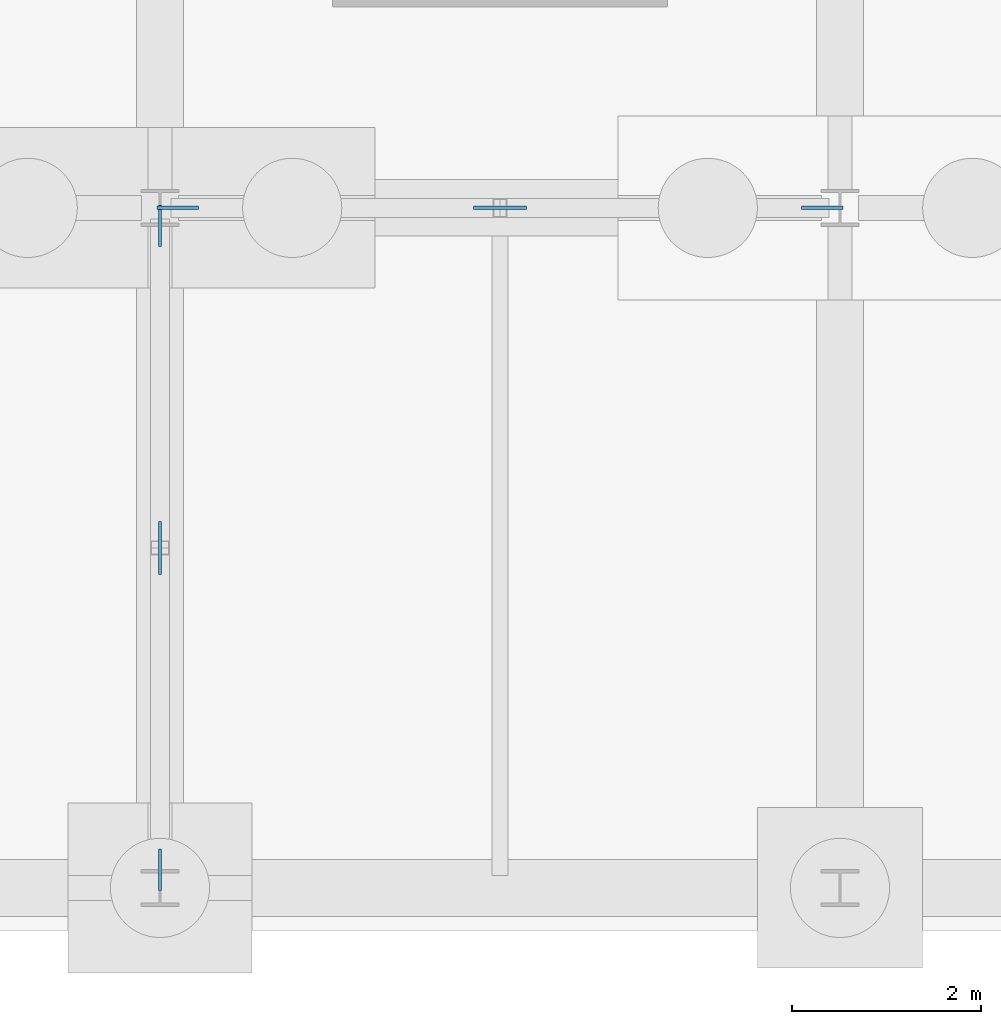
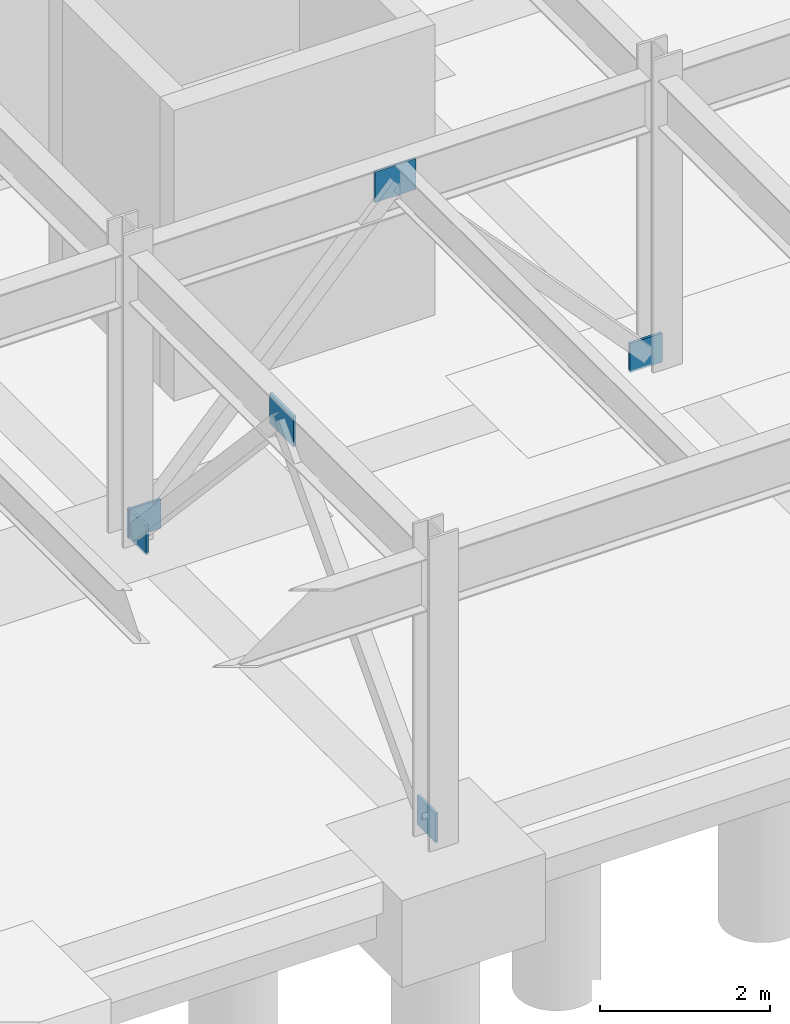
# One storey, part 40 of 54: 6 plates.
"""IFC4 building model written with IfcOpenShell, lengths in metres."""

from ifc_helpers import new_model, si_unit, direction, frame, origin, origin_2d, place, context, subcontext, project, spatial, rectangle, extrude, material, layer, layer_set, type_object, element, save


model = new_model("IFC4")

# Units and contexts
model_context = context("Model", 3, precision=1e-05, world=origin(), true_north=direction((0.0, 1.0)))
body_context = subcontext(model_context, "Body", "Model", "MODEL_VIEW")
ifc_project = project(units=[si_unit("LENGTHUNIT", "METRE"), si_unit("AREAUNIT", "SQUARE_METRE"), si_unit("VOLUMEUNIT", "CUBIC_METRE"), si_unit("PLANEANGLEUNIT", "RADIAN"), si_unit("MASSUNIT", "GRAM", prefix="KILO")], contexts=[model_context])

# Site, building, storey
site_placement = place(None, origin())
site = spatial("IfcSite", under=ifc_project, at=site_placement, CompositionType="ELEMENT")
building_placement = place(site_placement, origin())
building = spatial("IfcBuilding", under=site, at=building_placement, Name="Vaelcorin Mobility Hub", CompositionType="ELEMENT")
storey_placement = place(building_placement, frame((0.0, 0.0, -4.5)))
storey = spatial("IfcBuildingStorey", under=building, at=storey_placement, Name="B1", CompositionType="ELEMENT", Elevation=-4.5)

# Plates
ifc_material = material(Name="Steel ASTM A572 Grade 50", Category="steel")
ifc_layer = layer(ifc_material, 0.034912109375)
ifc_layer_set = layer_set([ifc_layer], Name="Steel ASTM A572 Grade 50")
plate_type = type_object("IfcPlateType", Name="PL-GN1", PredefinedType="USERDEFINED", material=ifc_layer_set)
for number, where, z_axis, x_axis, name in (
    (1, (160.989990234375, 13.199951171875, -0.030029296875), (0.0, 0.0, 1.0), (1.0, 0.0, 0.0), "SCBF Gusset Plate GN1 V5-BX1-B1-A"),
    (2, (167.81005859375, 13.199951171875, -0.030029296875), (0.0, 0.0, 1.0), (1.0, 0.0, 0.0), "SCBF Gusset Plate GN1 V5-BX1-B1-B"),
):
    element("IfcPlate", number, at=place(storey_placement, frame(where, z_axis=z_axis, x_axis=x_axis)), inside=storey, type_object=plate_type, Name=name, ObjectType="GUSSET PLATE", PredefinedType="USERDEFINED", context=body_context, shape_type="SweptSolid", body=[
        extrude(rectangle(XDim=0.43994140625, YDim=0.034912109375, at=origin_2d()), origin(), (0.0, 0.0, 1.0), 0.419921875),
    ])
plate_1_placement = place(storey_placement, frame((164.39990234375, 13.199951171875, 3.630126953125), z_axis=(0.0, 0.0, 1.0), x_axis=(1.0, 0.0, 0.0)))
element("IfcPlate", 3, at=plate_1_placement, inside=storey, type_object=plate_type, Name="SCBF Apex Gusset GN1 V5-BX1-B1", ObjectType="GUSSET PLATE", PredefinedType="USERDEFINED", context=body_context, shape_type="SweptSolid", body=[
    extrude(rectangle(XDim=0.56005859375, YDim=0.034912109375, at=origin_2d()), origin(), (0.0, 0.0, 1.0), 0.43994140625),
])
for number, where, z_axis, x_axis, name in (
    (4, (160.800048828125, 6.18994140625, -0.030029296875), (0.0, 0.0, 1.0), (0.0, 1.0, 0.0), "SCBF Gusset Plate GN1 V5-BY1-B1-A"),
    (5, (160.800048828125, 13.010009765625, -0.030029296875), (0.0, 0.0, 1.0), (0.0, 1.0, 0.0), "SCBF Gusset Plate GN1 V5-BY1-B1-B"),
):
    element("IfcPlate", number, at=place(storey_placement, frame(where, z_axis=z_axis, x_axis=x_axis)), inside=storey, type_object=plate_type, Name=name, ObjectType="GUSSET PLATE", PredefinedType="USERDEFINED", context=body_context, shape_type="SweptSolid", body=[
        extrude(rectangle(XDim=0.43994140625, YDim=0.034912109375, at=origin_2d()), origin(), (0.0, 0.0, 1.0), 0.419921875),
    ])
plate_2_placement = place(storey_placement, frame((160.800048828125, 9.60009765625, 3.630126953125), z_axis=(0.0, 0.0, 1.0), x_axis=(0.0, 1.0, 0.0)))
element("IfcPlate", 6, at=plate_2_placement, inside=storey, type_object=plate_type, Name="SCBF Apex Gusset GN1 V5-BY1-B1", ObjectType="GUSSET PLATE", PredefinedType="USERDEFINED", context=body_context, shape_type="SweptSolid", body=[
    extrude(rectangle(XDim=0.56005859375, YDim=0.034912109375, at=origin_2d()), origin(), (0.0, 0.0, 1.0), 0.43994140625),
])

save(model, "model.ifc")
